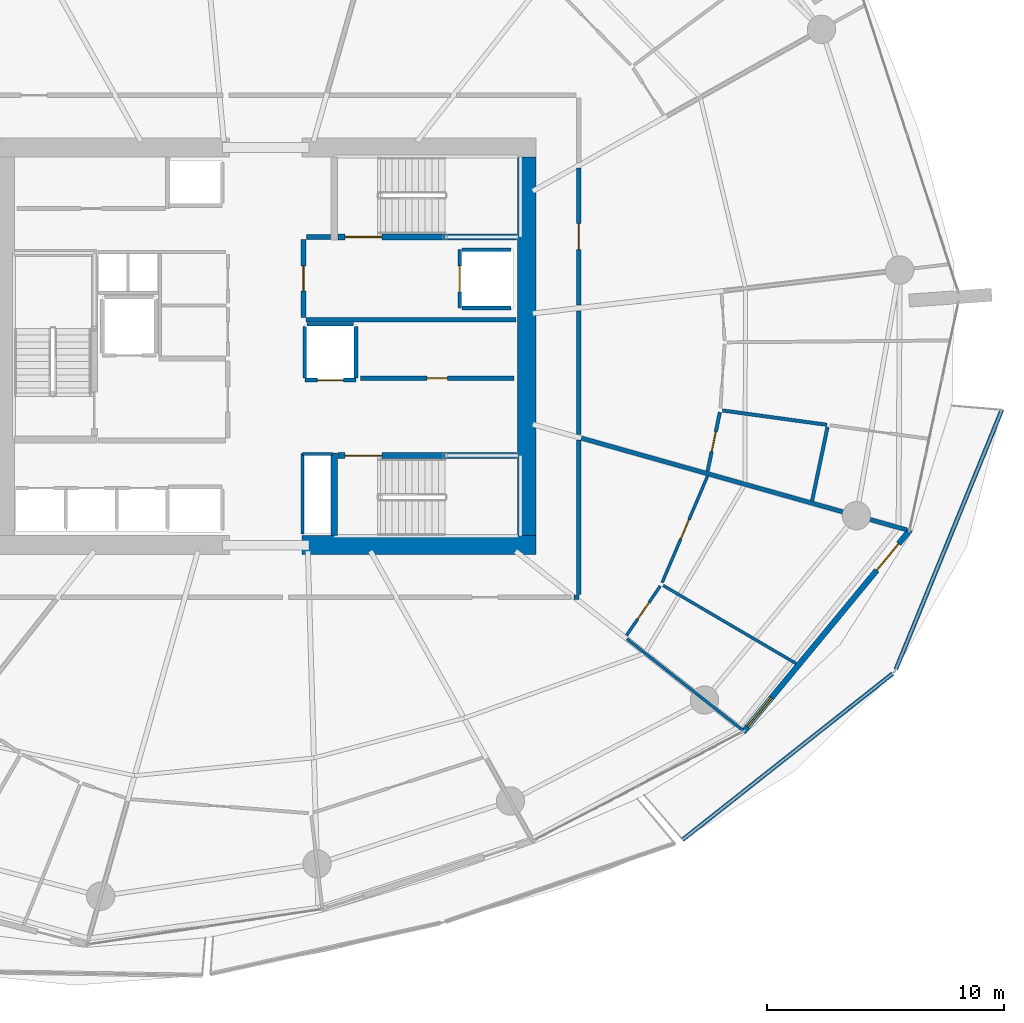
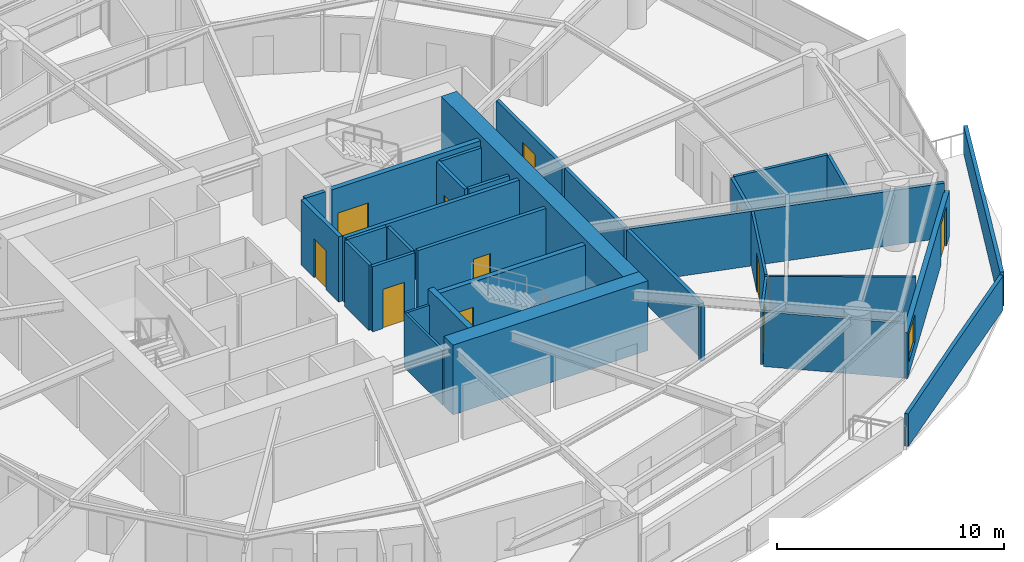
# One storey, part 13 of 22: 33 walls, 11 doors, 1 window, 12 openings.
"""IFC4 building model written with IfcOpenShell, lengths in metres."""

from ifc_helpers import new_model, si_unit, direction, frame, frame_2d, origin, place, context, subcontext, project, spatial, polyline, rectangle, outline, extrude, material, layer, layer_set, type_object, element, fill, save


model = new_model("IFC4")

# Units and contexts
model_context = context("Model", 3, precision=1e-05, world=origin(), true_north=direction((0.0, 1.0)))
body_context = subcontext(model_context, "Body", "Model", "MODEL_VIEW")
ifc_project = project(units=[si_unit("LENGTHUNIT", "METRE"), si_unit("AREAUNIT", "SQUARE_METRE"), si_unit("VOLUMEUNIT", "CUBIC_METRE"), si_unit("PLANEANGLEUNIT", "RADIAN"), si_unit("MASSUNIT", "GRAM", prefix="KILO")], contexts=[model_context])

# Site, building, storey
site_placement = place(None, origin())
site = spatial("IfcSite", under=ifc_project, at=site_placement, CompositionType="ELEMENT")
building_placement = place(site_placement, origin())
building = spatial("IfcBuilding", under=site, at=building_placement, Name="Kazma Halo Residences", CompositionType="ELEMENT")
storey_placement = place(building_placement, frame((0.0, 0.0, 93.89990234375)))
storey = spatial("IfcBuildingStorey", under=building, at=storey_placement, Name="L23", CompositionType="ELEMENT", Elevation=93.89990234375)

# Walls
ifc_material_1 = material(Name="White Concrete C50/60 Balustrade", Category="concrete")
ifc_layer_1 = layer(ifc_material_1, 0.179931640625)
ifc_layer_set_1 = layer_set([ifc_layer_1], Name="White Concrete C50/60 Balustrade")
wall_type_1 = type_object("IfcWallType", Name="WL-BAL-WAVE-180", PredefinedType="PARAPET", material=ifc_layer_set_1)
wall_1_placement = place(storey_placement, frame((66.03076171875, 21.148193359375, 0.0), z_axis=(0.0, 0.0, 1.0), x_axis=(0.784321358075, 0.620354743084, 0.0)))
element("IfcWall", 1, at=wall_1_placement, inside=storey, type_object=wall_type_1, Name="L23 white wave balustrade wall SE.1", PredefinedType="PARAPET", context=body_context, shape_type="SweptSolid", body=[
    extrude(outline(polyline([(0.0, 0.0), (11.316162109375, 0.0), (11.316162109375, 1.83203125), (5.658203125, 1.85302734375), (0.0, 1.756103515625), (0.0, 0.0)])), frame((0.0, 0.08984375, 0.0), z_axis=(0.0, -1.0, 0.0), x_axis=(1.0, 0.0, 0.0)), (0.0, 0.0, 1.0), 0.179931640625),
])
wall_2_placement = place(storey_placement, frame((75.045654296875, 28.353759765625, 0.0), z_axis=(0.0, 0.0, 1.0), x_axis=(0.378274271274, 0.925693564681, 0.0)))
element("IfcWall", 2, at=wall_2_placement, inside=storey, type_object=wall_type_1, Name="L23 white wave balustrade wall SE.2", PredefinedType="PARAPET", context=body_context, shape_type="SweptSolid", body=[
    extrude(outline(polyline([(0.0, 0.0), (11.8515625, 0.0), (11.8515625, 1.4970703125), (5.92578125, 1.696044921875), (0.0, 1.83203125), (0.0, 0.0)])), frame((0.0, 0.08984375, 0.0), z_axis=(0.0, -1.0, 0.0), x_axis=(1.0, 0.0, 0.0)), (0.0, 0.0, 1.0), 0.179931640625),
])
ifc_material_2 = material(Name="Concrete C80/95", Category="concrete")
ifc_layer_2 = layer(ifc_material_2, 0.800048828125)
ifc_layer_set_2 = layer_set([ifc_layer_2], Name="Concrete C80/95")
wall_type_2 = type_object("IfcWallType", Name="WL-CORE-800", PredefinedType="SHEAR", material=ifc_layer_set_2)
wall_3_placement = place(storey_placement, frame((49.949951171875, 33.60009765625, 0.0), z_axis=(0.0, 0.0, 1.0), x_axis=(1.0, 0.0, 0.0)))
element("IfcWall", 3, at=wall_3_placement, inside=storey, type_object=wall_type_2, Name="L23 central core shear wall SE", PredefinedType="SHEAR", context=body_context, shape_type="SweptSolid", body=[
    extrude(rectangle(XDim=9.900146484375, YDim=0.800048828125, at=frame_2d((4.9501953125, 0.0))), origin(), (0.0, 0.0, 1.0), 3.75),
])
wall_4_placement = place(storey_placement, frame((59.449951171875, 34.0, 0.0), z_axis=(0.0, 0.0, 1.0), x_axis=(0.0, 1.0, 0.0)))
element("IfcWall", 4, at=wall_4_placement, inside=storey, type_object=wall_type_2, Name="L23 central core shear wall E", PredefinedType="SHEAR", context=body_context, shape_type="SweptSolid", body=[
    extrude(rectangle(XDim=16.0, YDim=0.800048828125, at=frame_2d((8.0, 0.0))), origin(), (0.0, 0.0, 1.0), 3.75),
])
ifc_material_3 = material(Name="Concrete C60/75", Category="concrete")
ifc_layer_3 = layer(ifc_material_3, 0.280029296875)
ifc_layer_set_3 = layer_set([ifc_layer_3], Name="Concrete C60/75")
wall_type_3 = type_object("IfcWallType", Name="WL-CORE-ST-280", PredefinedType="SHEAR", material=ifc_layer_set_3)
wall_5_placement = place(storey_placement, frame((51.31005859375, 34.0, 0.0), z_axis=(0.0, 0.0, 1.0), x_axis=(0.0, 1.0, 0.0)))
element("IfcWall", 5, at=wall_5_placement, inside=storey, type_object=wall_type_3, Name="L23 stairwell bearing wall ST03-W", PredefinedType="SHEAR", context=body_context, shape_type="SweptSolid", body=[
    extrude(rectangle(XDim=3.5, YDim=0.280029296875, at=frame_2d((1.75, 0.0))), origin(), (0.0, 0.0, 1.0), 3.75),
])
ifc_material_4 = material(Name="Acoustic Twin-Stud Gypsum")
ifc_layer_4 = layer(ifc_material_4, 0.179931640625)
ifc_layer_set_4 = layer_set([ifc_layer_4], Name="Acoustic Twin-Stud Gypsum")
wall_type_4 = type_object("IfcWallType", Name="WL-DEM-180", PredefinedType="PARTITIONING", material=ifc_layer_set_4)
wall_6_placement = place(storey_placement, frame((61.755859375, 38.120361328125, 0.0), z_axis=(0.0, 0.0, 1.0), x_axis=(0.962455861176, -0.271438234756, 0.0)))
element("IfcWall", 6, at=wall_6_placement, inside=storey, type_object=wall_type_4, Name="L23 apartment demising radial wall 14", PredefinedType="PARTITIONING", context=body_context, shape_type="SweptSolid", body=[
    extrude(rectangle(XDim=14.278564453125, YDim=0.179931640625, at=frame_2d((7.13916015625, 0.0))), origin(), (0.0, 0.0, 1.0), 2.940185546875),
])
wall_7_placement = place(storey_placement, frame((61.446044921875, 31.39990234375, 0.0), z_axis=(0.0, 0.0, 1.0), x_axis=(1.0, 0.0, 0.0)))
element("IfcWall", 7, at=wall_7_placement, inside=storey, type_object=wall_type_4, Name="L23 Apartment 2 inner wall 13", PredefinedType="PARTITIONING", context=body_context, shape_type="SweptSolid", body=[
    extrude(rectangle(XDim=0.203857421875, YDim=0.179931640625, at=frame_2d((0.10205078125, 0.0))), origin(), (0.0, 0.0, 1.0), 2.940185546875),
])
wall_8_placement = place(storey_placement, frame((61.64990234375, 31.52001953125, 0.0), z_axis=(0.0, 0.0, 1.0), x_axis=(0.0, 1.0, 0.0)))
element("IfcWall", 8, at=wall_8_placement, inside=storey, type_object=wall_type_4, Name="L23 Apartment 2 inner wall 13", PredefinedType="PARTITIONING", context=body_context, shape_type="SweptSolid", body=[
    extrude(rectangle(XDim=6.51025390625, YDim=0.179931640625, at=frame_2d((3.255126953125, 0.0))), origin(), (0.0, 0.0, 1.0), 2.940185546875),
])

# Wall, opening, door
wall_9_placement = place(storey_placement, frame((61.64990234375, 43.735595703125, 0.0), z_axis=(0.0, 0.0, 1.0), x_axis=(0.0, 1.0, 0.0)))
wall_9 = element("IfcWall", 9, at=wall_9_placement, inside=storey, type_object=wall_type_4, Name="L23 Apartment 3 entrance corridor wall", PredefinedType="PARTITIONING", context=body_context, shape_type="SweptSolid", body=[
    extrude(rectangle(XDim=5.788818359375, YDim=0.179931640625, at=frame_2d((2.89453125, 0.0))), origin(), (0.0, 0.0, 1.0), 2.940185546875),
])
opening_1_placement = place(wall_9_placement, frame((2.344482421875, 0.0, 0.0)))
opening_1 = element("IfcOpeningElement", 10, at=opening_1_placement, cuts=wall_9, Name="Opening DA-1100", PredefinedType="OPENING", context=body_context, shape_type="SweptSolid", body=[
    extrude(rectangle(XDim=1.10009765625, YDim=2.10009765625, at=frame_2d((0.550048828125, 1.050048828125))), frame((0.0, 0.099853515625, 0.0), z_axis=(0.0, -1.0, 0.0), x_axis=(1.0, 0.0, 0.0)), (0.0, 0.0, 1.0), 0.199951171875),
])
ifc_material_5 = material(Name="Acoustic Walnut Fire Leaf")
door_type_1 = type_object("IfcDoorType", Name="DR-FD60-1100", OperationType="NOTDEFINED", PredefinedType="DOOR", material=ifc_material_5)
door_1_placement = place(opening_1_placement, origin())
door_1 = element("IfcDoor", 11, at=door_1_placement, inside=storey, type_object=door_type_1, Name="L23 Apartment 3 entrance fire door", OperationType="SINGLE_SWING_LEFT", OverallHeight=2.10009765625, OverallWidth=1.10009765625, PredefinedType="DOOR", context=body_context, shape_type="SweptSolid", body=[
    extrude(rectangle(XDim=1.10009765625, YDim=2.10009765625, at=frame_2d((0.550048828125, 1.050048828125))), frame((0.0, 0.02490234375, 0.0), z_axis=(0.0, -1.0, 0.0), x_axis=(1.0, 0.0, 0.0)), (0.0, 0.0, 1.0), 0.050048828125),
])
fill(opening_1, door_1)

# Wall
wall_10_placement = place(storey_placement, frame((61.64990234375, 38.270263671875, 0.0), z_axis=(0.0, 0.0, 1.0), x_axis=(0.0, 1.0, 0.0)))
element("IfcWall", 12, at=wall_10_placement, inside=storey, type_object=wall_type_4, Name="L23 Apartment 3 inner wall 14", PredefinedType="PARTITIONING", context=body_context, shape_type="SweptSolid", body=[
    extrude(rectangle(XDim=5.225341796875, YDim=0.179931640625, at=frame_2d((2.61279296875, 0.0))), origin(), (0.0, 0.0, 1.0), 2.940185546875),
])

# Wall, openings, door, window
ifc_material_6 = material(Name="Insulated Pale-Metal Composite Wall")
ifc_layer_5 = layer(ifc_material_6, 0.239990234375)
ifc_layer_set_5 = layer_set([ifc_layer_5], Name="Insulated Pale-Metal Composite Wall")
wall_type_5 = type_object("IfcWallType", Name="WL-EXT-HOST-240", PredefinedType="SOLIDWALL", material=ifc_layer_set_5)
wall_11_placement = place(storey_placement, frame((68.593017578125, 25.7021484375, 0.0), z_axis=(0.0, 0.0, 1.0), x_axis=(0.636704975, 0.771107498868, 0.0)))
wall_11 = element("IfcWall", 13, at=wall_11_placement, inside=storey, type_object=wall_type_5, Name="L23 exterior terrace-access wall B14", PredefinedType="SOLIDWALL", context=body_context, shape_type="SweptSolid", body=[
    extrude(rectangle(XDim=11.084228515625, YDim=0.239990234375, at=frame_2d((5.5419921875, 0.0))), origin(), (0.0, 0.0, 1.0), 2.4501953125),
])
opening_2_placement = place(wall_11_placement, frame((8.8642578125, 0.0, 0.0)))
opening_2 = element("IfcOpeningElement", 14, at=opening_2_placement, cuts=wall_11, Name="Opening DTR-1600", PredefinedType="OPENING", context=body_context, shape_type="SweptSolid", body=[
    extrude(rectangle(XDim=1.449951171875, YDim=2.14990234375, at=frame_2d((0.72509765625, 1.074951171875))), frame((0.0, 0.1298828125, 0.0), z_axis=(0.0, -1.0, 0.0), x_axis=(1.0, 0.0, 0.0)), (0.0, 0.0, 1.0), 0.260009765625),
])
opening_3_placement = place(wall_11_placement, frame((0.280029296875, 0.0, 0.64990234375)))
opening_3 = element("IfcOpeningElement", 15, at=opening_3_placement, cuts=wall_11, Name="Opening W-1800", PredefinedType="OPENING", context=body_context, shape_type="SweptSolid", body=[
    extrude(rectangle(XDim=1.60009765625, YDim=1.5, at=frame_2d((0.800048828125, 0.75))), frame((0.0, 0.1298828125, 0.0), z_axis=(0.0, -1.0, 0.0), x_axis=(1.0, 0.0, 0.0)), (0.0, 0.0, 1.0), 0.260009765625),
])
ifc_material_7 = material(Name="Aluminium AW-6063 T6 Double-Glazed Terrace Door", Category="aluminium")
door_type_2 = type_object("IfcDoorType", Name="DR-EXT-TERR-1600", OperationType="NOTDEFINED", PredefinedType="DOOR", material=ifc_material_7)
door_2_placement = place(opening_2_placement, origin())
door_2 = element("IfcDoor", 16, at=door_2_placement, inside=storey, type_object=door_type_2, Name="L23 B14 balcony terrace door", OperationType="DOUBLE_DOOR_SLIDING", OverallHeight=2.14990234375, OverallWidth=1.449951171875, PredefinedType="DOOR", context=body_context, shape_type="SweptSolid", body=[
    extrude(rectangle(XDim=1.449951171875, YDim=2.14990234375, at=frame_2d((0.72509765625, 1.074951171875))), frame((0.0, 0.02490234375, 0.0), z_axis=(0.0, -1.0, 0.0), x_axis=(1.0, 0.0, 0.0)), (0.0, 0.0, 1.0), 0.050048828125),
])
fill(opening_2, door_2)
ifc_material_8 = material(Name="Clear Triple-Silver Low-E Glass in Aluminium AW-6063 T6 Frame", Category="aluminium")
window_type = type_object("IfcWindowType", Name="WIN-RES-1800", PartitioningType="DOUBLE_PANEL_VERTICAL", PredefinedType="WINDOW", material=ifc_material_8)
window_placement = place(opening_3_placement, origin())
window = element("IfcWindow", 17, at=window_placement, inside=storey, type_object=window_type, Name="L23 B14 apartment window", OverallHeight=1.5, OverallWidth=1.60009765625, PartitioningType="SINGLE_PANEL", PredefinedType="WINDOW", context=body_context, shape_type="SweptSolid", body=[
    extrude(rectangle(XDim=1.60009765625, YDim=1.5, at=frame_2d((0.800048828125, 0.75))), frame((0.0, 0.030029296875, 0.0), z_axis=(0.0, -1.0, 0.0), x_axis=(1.0, 0.0, 0.0)), (0.0, 0.0, 1.0), 0.06005859375),
])
fill(opening_3, window)

# Wall, opening, door
ifc_material_9 = material(Name="Fire-Rated Blockwork Masonry", Category="masonry")
ifc_layer_6 = layer(ifc_material_9, 0.199951171875)
ifc_layer_set_6 = layer_set([ifc_layer_6], Name="Fire-Rated Blockwork Masonry")
wall_type_6 = type_object("IfcWallType", Name="WL-FLB-200", PredefinedType="PARTITIONING", material=ifc_layer_set_6)
wall_12_placement = place(storey_placement, frame((56.6201171875, 46.080078125, 0.0), z_axis=(0.0, 0.0, 1.0), x_axis=(0.0, -1.0, 0.0)))
wall_12 = element("IfcWall", 18, at=wall_12_placement, inside=storey, type_object=wall_type_6, Name="L23 lift shaft FL-02 front wall", PredefinedType="PARTITIONING", context=body_context, shape_type="SweptSolid", body=[
    extrude(rectangle(XDim=2.4599609375, YDim=0.159912109375, at=frame_2d((1.22998046875, 0.0))), origin(), (0.0, 0.0, 1.0), 3.5),
])
opening_4_placement = place(wall_12_placement, frame((0.679931640625, 0.0, 0.0)))
opening_4 = element("IfcOpeningElement", 19, at=opening_4_placement, cuts=wall_12, Name="Opening LD-FL-02", PredefinedType="OPENING", context=body_context, shape_type="SweptSolid", body=[
    extrude(rectangle(XDim=1.10009765625, YDim=2.10009765625, at=frame_2d((0.550048828125, 1.050048828125))), frame((0.0, 0.08984375, 0.0), z_axis=(0.0, -1.0, 0.0), x_axis=(1.0, 0.0, 0.0)), (0.0, 0.0, 1.0), 0.179931640625),
])
ifc_material_10 = material(Name="Stainless Steel Fire-Rated", Category="steel")
door_type_3 = type_object("IfcDoorType", Name="DR-LIFT-SLD-1100", OperationType="DOUBLE_DOOR_SLIDING", PredefinedType="DOOR", material=ifc_material_10)
door_3_placement = place(opening_4_placement, origin())
door_3 = element("IfcDoor", 20, at=door_3_placement, inside=storey, type_object=door_type_3, Name="L23 lift FL-02 sliding landing door", OperationType="DOUBLE_DOOR_SLIDING", OverallHeight=2.10009765625, OverallWidth=1.10009765625, PredefinedType="DOOR", context=body_context, shape_type="SweptSolid", body=[
    extrude(rectangle(XDim=1.10009765625, YDim=2.10009765625, at=frame_2d((0.550048828125, 1.050048828125))), frame((0.0, 0.02490234375, 0.0), z_axis=(0.0, -1.0, 0.0), x_axis=(1.0, 0.0, 0.0)), (0.0, 0.0, 1.0), 0.050048828125),
])
fill(opening_4, door_3)

# Walls
for number, where, z_axis, x_axis, name in (
    (21, (56.719970703125, 46.080078125, 0.0), (0.0, 0.0, 1.0), (1.0, 0.0, 0.0), "L23 lift shaft FL-02 side wall N"),
    (22, (56.719970703125, 43.6201171875, 0.0), (0.0, 0.0, 1.0), (1.0, 0.0, 0.0), "L23 lift shaft FL-02 side wall S"),
):
    element("IfcWall", number, at=place(storey_placement, frame(where, z_axis=z_axis, x_axis=x_axis)), inside=storey, type_object=wall_type_6, Name=name, PredefinedType="PARTITIONING", context=body_context, shape_type="SweptSolid", body=[
        extrude(rectangle(XDim=2.06005859375, YDim=0.159912109375, at=frame_2d((1.030029296875, 0.0))), origin(), (0.0, 0.0, 1.0), 3.5),
    ])

# Wall, opening, door
wall_13_placement = place(storey_placement, frame((52.22998046875, 40.570068359375, 0.0), z_axis=(0.0, 0.0, 1.0), x_axis=(-1.0, 0.0, 0.0)))
wall_13 = element("IfcWall", 23, at=wall_13_placement, inside=storey, type_object=wall_type_6, Name="L23 lift shaft SV-01 front wall", PredefinedType="PARTITIONING", context=body_context, shape_type="SweptSolid", body=[
    extrude(rectangle(XDim=2.159912109375, YDim=0.159912109375, at=frame_2d((1.080078125, 0.0))), origin(), (0.0, 0.0, 1.0), 3.5),
])
opening_5_placement = place(wall_13_placement, frame((0.530029296875, 0.0, 0.0)))
opening_5 = element("IfcOpeningElement", 24, at=opening_5_placement, cuts=wall_13, Name="Opening LD-SV-01", PredefinedType="OPENING", context=body_context, shape_type="SweptSolid", body=[
    extrude(rectangle(XDim=1.10009765625, YDim=2.10009765625, at=frame_2d((0.550048828125, 1.050048828125))), frame((0.0, 0.08984375, 0.0), z_axis=(0.0, -1.0, 0.0), x_axis=(1.0, 0.0, 0.0)), (0.0, 0.0, 1.0), 0.179931640625),
])
door_4_placement = place(opening_5_placement, origin())
door_4 = element("IfcDoor", 25, at=door_4_placement, inside=storey, type_object=door_type_3, Name="L23 lift SV-01 sliding landing door", OperationType="DOUBLE_DOOR_SLIDING", OverallHeight=2.10009765625, OverallWidth=1.10009765625, PredefinedType="DOOR", context=body_context, shape_type="SweptSolid", body=[
    extrude(rectangle(XDim=1.10009765625, YDim=2.10009765625, at=frame_2d((0.550048828125, 1.050048828125))), frame((0.0, 0.02490234375, 0.0), z_axis=(0.0, -1.0, 0.0), x_axis=(1.0, 0.0, 0.0)), (0.0, 0.0, 1.0), 0.050048828125),
])
fill(opening_5, door_4)

# Walls
for number, where, z_axis, x_axis, name in (
    (26, (52.22998046875, 40.669921875, 0.0), (0.0, 0.0, 1.0), (0.0, 1.0, 0.0), "L23 lift shaft SV-01 side wall E"),
    (27, (50.070068359375, 40.669921875, 0.0), (0.0, 0.0, 1.0), (0.0, 1.0, 0.0), "L23 lift shaft SV-01 side wall W"),
):
    element("IfcWall", number, at=place(storey_placement, frame(where, z_axis=z_axis, x_axis=x_axis)), inside=storey, type_object=wall_type_6, Name=name, PredefinedType="PARTITIONING", context=body_context, shape_type="SweptSolid", body=[
        extrude(rectangle(XDim=2.16015625, YDim=0.159912109375, at=frame_2d((1.080078125, 0.0))), origin(), (0.0, 0.0, 1.0), 3.5),
    ])
wall_14_placement = place(storey_placement, frame((50.169921875, 42.929931640625, 0.0), z_axis=(0.0, 0.0, 1.0), x_axis=(1.0, 0.0, 0.0)))
element("IfcWall", 28, at=wall_14_placement, inside=storey, type_object=wall_type_6, Name="L23 lift shaft SV-01 side wall N", PredefinedType="PARTITIONING", context=body_context, shape_type="SweptSolid", body=[
    extrude(rectangle(XDim=1.9599609375, YDim=0.159912109375, at=frame_2d((0.97998046875, 0.0))), origin(), (0.0, 0.0, 1.0), 3.5),
])

# Wall, opening, door
wall_15_placement = place(storey_placement, frame((52.419921875, 40.64990234375, 0.0), z_axis=(0.0, 0.0, 1.0), x_axis=(1.0, 0.0, 0.0)))
wall_15 = element("IfcWall", 29, at=wall_15_placement, inside=storey, type_object=wall_type_6, Name="L23 core east reserve wall", PredefinedType="PARTITIONING", context=body_context, shape_type="SweptSolid", body=[
    extrude(rectangle(XDim=6.5, YDim=0.179931640625, at=frame_2d((3.25, 0.0))), origin(), (0.0, 0.0, 1.0), 3.5),
])
opening_6_placement = place(wall_15_placement, frame((2.824951171875, 0.0, 0.0)))
opening_6 = element("IfcOpeningElement", 30, at=opening_6_placement, cuts=wall_15, Name="Opening DS-850", PredefinedType="OPENING", context=body_context, shape_type="SweptSolid", body=[
    extrude(rectangle(XDim=0.85009765625, YDim=2.06005859375, at=frame_2d((0.425048828125, 1.030029296875))), frame((0.0, 0.099853515625, 0.0), z_axis=(0.0, -1.0, 0.0), x_axis=(1.0, 0.0, 0.0)), (0.0, 0.0, 1.0), 0.199951171875),
])
ifc_material_11 = material(Name="Painted Steel Access Leaf", Category="steel")
door_type_4 = type_object("IfcDoorType", Name="DR-SVC-850", OperationType="NOTDEFINED", PredefinedType="DOOR", material=ifc_material_11)
door_5_placement = place(opening_6_placement, origin())
door_5 = element("IfcDoor", 31, at=door_5_placement, inside=storey, type_object=door_type_4, Name="L23 core east reserve door", OperationType="SINGLE_SWING_RIGHT", OverallHeight=2.06005859375, OverallWidth=0.85009765625, PredefinedType="DOOR", context=body_context, shape_type="SweptSolid", body=[
    extrude(rectangle(XDim=0.85009765625, YDim=2.06005859375, at=frame_2d((0.425048828125, 1.030029296875))), frame((0.0, 0.02490234375, 0.0), z_axis=(0.0, -1.0, 0.0), x_axis=(1.0, 0.0, 0.0)), (0.0, 0.0, 1.0), 0.050048828125),
])
fill(opening_6, door_5)

# Walls
wall_16_placement = place(storey_placement, frame((50.1201171875, 43.1201171875, 0.0), z_axis=(0.0, 0.0, 1.0), x_axis=(1.0, 0.0, 0.0)))
element("IfcWall", 32, at=wall_16_placement, inside=storey, type_object=wall_type_6, Name="L23 east firefighting lobby south smoke wall", PredefinedType="PARTITIONING", context=body_context, shape_type="SweptSolid", body=[
    extrude(rectangle(XDim=8.8798828125, YDim=0.199951171875, at=frame_2d((4.43994140625, 0.0))), origin(), (0.0, 0.0, 1.0), 3.5),
])
wall_17_placement = place(storey_placement, frame((50.139892578125, 46.6201171875, 0.0), z_axis=(0.0, 0.0, 1.0), x_axis=(1.0, 0.0, 0.0)))
element("IfcWall", 33, at=wall_17_placement, inside=storey, type_object=wall_type_6, Name="L23 east firefighting lobby north closure wall", PredefinedType="PARTITIONING", context=body_context, shape_type="SweptSolid", body=[
    extrude(rectangle(XDim=1.02001953125, YDim=0.199951171875, at=frame_2d((0.510009765625, 0.0))), origin(), (0.0, 0.0, 1.0), 3.5),
])

# Wall, opening, door
wall_18_placement = place(storey_placement, frame((50.02001953125, 43.219970703125, 0.0), z_axis=(0.0, 0.0, 1.0), x_axis=(0.0, 1.0, 0.0)))
wall_18 = element("IfcWall", 34, at=wall_18_placement, inside=storey, type_object=wall_type_6, Name="L23 east firefighting lobby smoke wall", PredefinedType="PARTITIONING", context=body_context, shape_type="SweptSolid", body=[
    extrude(rectangle(XDim=3.300048828125, YDim=0.199951171875, at=frame_2d((1.64990234375, 0.0))), origin(), (0.0, 0.0, 1.0), 3.5),
])
opening_7_placement = place(wall_18_placement, frame((1.125, 0.0, 0.0)))
opening_7 = element("IfcOpeningElement", 35, at=opening_7_placement, cuts=wall_18, Name="Opening D-FLE", PredefinedType="OPENING", context=body_context, shape_type="SweptSolid", body=[
    extrude(rectangle(XDim=1.050048828125, YDim=2.10009765625, at=frame_2d((0.52490234375, 1.050048828125))), frame((0.0, 0.10986328125, 0.0), z_axis=(0.0, -1.0, 0.0), x_axis=(1.0, 0.0, 0.0)), (0.0, 0.0, 1.0), 0.219970703125),
])
ifc_material_12 = material(Name="Fire-Rated Steel Leaf", Category="steel")
door_type_5 = type_object("IfcDoorType", Name="DR-FD90-1050", OperationType="NOTDEFINED", PredefinedType="DOOR", material=ifc_material_12)
door_6_placement = place(opening_7_placement, origin())
door_6 = element("IfcDoor", 36, at=door_6_placement, inside=storey, type_object=door_type_5, Name="L23 east firefighting lobby smoke door", OperationType="SINGLE_SWING_LEFT", OverallHeight=2.10009765625, OverallWidth=1.050048828125, PredefinedType="DOOR", context=body_context, shape_type="SweptSolid", body=[
    extrude(rectangle(XDim=1.050048828125, YDim=2.10009765625, at=frame_2d((0.52490234375, 1.050048828125))), frame((0.0, 0.02490234375, 0.0), z_axis=(0.0, -1.0, 0.0), x_axis=(1.0, 0.0, 0.0)), (0.0, 0.0, 1.0), 0.050048828125),
])
fill(opening_7, door_6)

# Walls
ifc_material_13 = material(Name="Gypsum Plasterboard Partition")
ifc_layer_7 = layer(ifc_material_13, 0.125)
ifc_layer_set_7 = layer_set([ifc_layer_7], Name="Gypsum Plasterboard Partition")
wall_type_7 = type_object("IfcWallType", Name="WL-PART-125", PredefinedType="PARTITIONING", material=ifc_layer_set_7)
wall_19_placement = place(storey_placement, frame((49.97998046875, 34.06005859375, 0.0), z_axis=(0.0, 0.0, 1.0), x_axis=(0.0, 1.0, 0.0)))
element("IfcWall", 37, at=wall_19_placement, inside=storey, type_object=wall_type_7, Name="L23 standpipe riser wall", PredefinedType="PARTITIONING", context=body_context, shape_type="SweptSolid", body=[
    extrude(rectangle(XDim=3.39990234375, YDim=0.125, at=frame_2d((1.699951171875, 0.0))), origin(), (0.0, 0.0, 1.0), 2.940185546875),
])
wall_20_placement = place(storey_placement, frame((49.97998046875, 37.43994140625, 0.0), z_axis=(0.0, 0.0, 1.0), x_axis=(1.0, 0.0, 0.0)))
element("IfcWall", 38, at=wall_20_placement, inside=storey, type_object=wall_type_7, Name="L23 standpipe riser north wall", PredefinedType="PARTITIONING", context=body_context, shape_type="SweptSolid", body=[
    extrude(rectangle(XDim=1.260009765625, YDim=0.125, at=frame_2d((0.6298828125, 0.0))), origin(), (0.0, 0.0, 1.0), 2.940185546875),
])
wall_21_placement = place(storey_placement, frame((63.684326171875, 29.635498046875, 0.0), z_axis=(0.0, 0.0, 1.0), x_axis=(0.785296487737, -0.619119880434, 0.0)))
element("IfcWall", 39, at=wall_21_placement, inside=storey, type_object=wall_type_7, Name="L23 Apartment 2 radial partition 13", PredefinedType="PARTITIONING", context=body_context, shape_type="SweptSolid", body=[
    extrude(rectangle(XDim=6.265869140625, YDim=0.125, at=frame_2d((3.1328125, 0.0))), origin(), (0.0, 0.0, 1.0), 2.940185546875),
])
wall_22_placement = place(storey_placement, frame((65.214111328125, 31.892578125, 0.0), z_axis=(0.0, 0.0, 1.0), x_axis=(0.862328516234, -0.506349217527, 0.0)))
element("IfcWall", 40, at=wall_22_placement, inside=storey, type_object=wall_type_7, Name="L23 Apartment 2 mid-bay wall 13", PredefinedType="PARTITIONING", context=body_context, shape_type="SweptSolid", body=[
    extrude(rectangle(XDim=6.505859375, YDim=0.125, at=frame_2d((3.2529296875, 0.0))), origin(), (0.0, 0.0, 1.0), 2.940185546875),
])

# Wall, opening, door
wall_23_placement = place(storey_placement, frame((63.662109375, 29.780029296875, 0.0), z_axis=(0.0, 0.0, 1.0), x_axis=(0.56409306427, 0.825711217583, 0.0)))
wall_23 = element("IfcWall", 41, at=wall_23_placement, inside=storey, type_object=wall_type_7, Name="L23 Apartment 2 North Wine Pantry Store hall wall", PredefinedType="PARTITIONING", context=body_context, shape_type="SweptSolid", body=[
    extrude(rectangle(XDim=2.53369140625, YDim=0.125, at=frame_2d((1.266845703125, 0.0))), origin(), (0.0, 0.0, 1.0), 2.940185546875),
])
opening_8_placement = place(wall_23_placement, frame((0.841796875, 0.0, 0.0)))
opening_8 = element("IfcOpeningElement", 42, at=opening_8_placement, cuts=wall_23, Name="Opening DB-900", PredefinedType="OPENING", context=body_context, shape_type="SweptSolid", body=[
    extrude(rectangle(XDim=0.85009765625, YDim=2.06005859375, at=frame_2d((0.425048828125, 1.030029296875))), frame((0.0, 0.072509765625, 0.0), z_axis=(0.0, -1.0, 0.0), x_axis=(1.0, 0.0, 0.0)), (0.0, 0.0, 1.0), 0.14501953125),
])
ifc_material_14 = material(Name="Moisture-Sealed Timber Leaf", Category="wood")
door_type_6 = type_object("IfcDoorType", Name="DR-BTH-900", OperationType="NOTDEFINED", PredefinedType="DOOR", material=ifc_material_14)
door_7_placement = place(opening_8_placement, origin())
door_7 = element("IfcDoor", 43, at=door_7_placement, inside=storey, type_object=door_type_6, Name="L23 Apartment 2 North Wine Pantry Store door", OperationType="SINGLE_SWING_LEFT", OverallHeight=2.06005859375, OverallWidth=0.85009765625, PredefinedType="DOOR", context=body_context, shape_type="SweptSolid", body=[
    extrude(rectangle(XDim=0.85009765625, YDim=2.06005859375, at=frame_2d((0.425048828125, 1.030029296875))), frame((0.0, 0.02490234375, 0.0), z_axis=(0.0, -1.0, 0.0), x_axis=(1.0, 0.0, 0.0)), (0.0, 0.0, 1.0), 0.050048828125),
])
fill(opening_8, door_7)

wall_24_placement = place(storey_placement, frame((65.167724609375, 32.01171875, 0.0), z_axis=(0.0, 0.0, 1.0), x_axis=(0.392094288326, 0.91992503448, 0.0)))
wall_24 = element("IfcWall", 44, at=wall_24_placement, inside=storey, type_object=wall_type_7, Name="L23 Apartment 2 South Formal Dining Room hall wall", PredefinedType="PARTITIONING", context=body_context, shape_type="SweptSolid", body=[
    extrude(rectangle(XDim=4.89404296875, YDim=0.125, at=frame_2d((2.447021484375, 0.0))), origin(), (0.0, 0.0, 1.0), 2.940185546875),
])
opening_9_placement = place(wall_24_placement, frame((1.9970703125, 0.0, 0.0)))
opening_9 = element("IfcOpeningElement", 45, at=opening_9_placement, cuts=wall_24, Name="Opening DI-950", PredefinedType="OPENING", context=body_context, shape_type="SweptSolid", body=[
    extrude(rectangle(XDim=0.89990234375, YDim=2.080078125, at=frame_2d((0.449951171875, 1.0400390625))), frame((0.0, 0.072509765625, 0.0), z_axis=(0.0, -1.0, 0.0), x_axis=(1.0, 0.0, 0.0)), (0.0, 0.0, 1.0), 0.14501953125),
])
ifc_material_15 = material(Name="Timber Veneer Flush Leaf", Category="wood")
door_type_7 = type_object("IfcDoorType", Name="DR-INT-950", OperationType="NOTDEFINED", PredefinedType="DOOR", material=ifc_material_15)
door_8_placement = place(opening_9_placement, origin())
door_8 = element("IfcDoor", 46, at=door_8_placement, inside=storey, type_object=door_type_7, Name="L23 Apartment 2 South Formal Dining Room door", OperationType="SINGLE_SWING_RIGHT", OverallHeight=2.080078125, OverallWidth=0.89990234375, PredefinedType="DOOR", context=body_context, shape_type="SweptSolid", body=[
    extrude(rectangle(XDim=0.89990234375, YDim=2.080078125, at=frame_2d((0.449951171875, 1.0400390625))), frame((0.0, 0.02490234375, 0.0), z_axis=(0.0, -1.0, 0.0), x_axis=(1.0, 0.0, 0.0)), (0.0, 0.0, 1.0), 0.050048828125),
])
fill(opening_9, door_8)

ifc_material_16 = material(Name="Concrete C50/60", Category="concrete")
ifc_layer_8 = layer(ifc_material_16, 0.25)
ifc_layer_set_8 = layer_set([ifc_layer_8], Name="Concrete C50/60")
wall_type_8 = type_object("IfcWallType", Name="WL-SHF-250", PredefinedType="SOLIDWALL", material=ifc_layer_set_8)
wall_25_placement = place(storey_placement, frame((51.47998046875, 46.6201171875, 0.0), z_axis=(0.0, 0.0, 1.0), x_axis=(1.0, 0.0, 0.0)))
wall_25 = element("IfcWall", 47, at=wall_25_placement, inside=storey, type_object=wall_type_8, Name="L23 exit stair ST-02 enclosure wall", PredefinedType="SOLIDWALL", context=body_context, shape_type="SweptSolid", body=[
    extrude(rectangle(XDim=7.5400390625, YDim=0.25, at=frame_2d((3.77001953125, 0.0))), origin(), (0.0, 0.0, 1.0), 3.5),
])
opening_10_placement = place(wall_25_placement, frame((0.300048828125, 0.0, 0.0)))
opening_10 = element("IfcOpeningElement", 48, at=opening_10_placement, cuts=wall_25, Name="Opening D-ST2", PredefinedType="OPENING", context=body_context, shape_type="SweptSolid", body=[
    extrude(rectangle(XDim=1.550048828125, YDim=2.14990234375, at=frame_2d((0.77490234375, 1.074951171875))), frame((0.0, 0.135009765625, 0.0), z_axis=(0.0, -1.0, 0.0), x_axis=(1.0, 0.0, 0.0)), (0.0, 0.0, 1.0), 0.27001953125),
])
ifc_material_17 = material(Name="Fire-Rated Double Steel Leaf", Category="steel")
door_type_8 = type_object("IfcDoorType", Name="DR-FD90-1550", OperationType="NOTDEFINED", PredefinedType="DOOR", material=ifc_material_17)
door_9_placement = place(opening_10_placement, origin())
door_9 = element("IfcDoor", 49, at=door_9_placement, inside=storey, type_object=door_type_8, Name="L23 exit stair ST-02 fire door", OperationType="DOUBLE_DOOR_SINGLE_SWING", OverallHeight=2.14990234375, OverallWidth=1.550048828125, PredefinedType="DOOR", context=body_context, shape_type="SweptSolid", body=[
    extrude(rectangle(XDim=1.550048828125, YDim=2.14990234375, at=frame_2d((0.77490234375, 1.074951171875))), frame((0.0, 0.02490234375, 0.0), z_axis=(0.0, -1.0, 0.0), x_axis=(1.0, 0.0, 0.0)), (0.0, 0.0, 1.0), 0.050048828125),
])
fill(opening_10, door_9)

wall_26_placement = place(storey_placement, frame((51.47998046875, 37.3798828125, 0.0), z_axis=(0.0, 0.0, 1.0), x_axis=(1.0, 0.0, 0.0)))
wall_26 = element("IfcWall", 50, at=wall_26_placement, inside=storey, type_object=wall_type_8, Name="L23 exit stair ST-03 enclosure wall", PredefinedType="SOLIDWALL", context=body_context, shape_type="SweptSolid", body=[
    extrude(rectangle(XDim=7.5400390625, YDim=0.25, at=frame_2d((3.77001953125, 0.0))), origin(), (0.0, 0.0, 1.0), 3.5),
])
opening_11_placement = place(wall_26_placement, frame((0.300048828125, 0.0, 0.0)))
opening_11 = element("IfcOpeningElement", 51, at=opening_11_placement, cuts=wall_26, Name="Opening D-ST3", PredefinedType="OPENING", context=body_context, shape_type="SweptSolid", body=[
    extrude(rectangle(XDim=1.550048828125, YDim=2.14990234375, at=frame_2d((0.77490234375, 1.074951171875))), frame((0.0, 0.135009765625, 0.0), z_axis=(0.0, -1.0, 0.0), x_axis=(1.0, 0.0, 0.0)), (0.0, 0.0, 1.0), 0.27001953125),
])
door_10_placement = place(opening_11_placement, origin())
door_10 = element("IfcDoor", 52, at=door_10_placement, inside=storey, type_object=door_type_8, Name="L23 exit stair ST-03 fire door", OperationType="DOUBLE_DOOR_SINGLE_SWING", OverallHeight=2.14990234375, OverallWidth=1.550048828125, PredefinedType="DOOR", context=body_context, shape_type="SweptSolid", body=[
    extrude(rectangle(XDim=1.550048828125, YDim=2.14990234375, at=frame_2d((0.77490234375, 1.074951171875))), frame((0.0, 0.02490234375, 0.0), z_axis=(0.0, -1.0, 0.0), x_axis=(1.0, 0.0, 0.0)), (0.0, 0.0, 1.0), 0.050048828125),
])
fill(opening_11, door_10)

ifc_material_18 = material(Name="Moisture-Resistant Gypsum")
ifc_layer_9 = layer(ifc_material_18, 0.14990234375)
ifc_layer_set_9 = layer_set([ifc_layer_9], Name="Moisture-Resistant Gypsum")
wall_type_9 = type_object("IfcWallType", Name="WL-WET-150", PredefinedType="PARTITIONING", material=ifc_layer_set_9)
wall_27_placement = place(storey_placement, frame((67.088623046875, 36.72021484375, 0.0), z_axis=(0.0, 0.0, 1.0), x_axis=(0.204314138463, 0.978905374806, 0.0)))
wall_27 = element("IfcWall", 53, at=wall_27_placement, inside=storey, type_object=wall_type_9, Name="L23 Apartment 3 Guest Bathroom hall wall", PredefinedType="PARTITIONING", context=body_context, shape_type="SweptSolid", body=[
    extrude(rectangle(XDim=2.54638671875, YDim=0.14990234375, at=frame_2d((1.273193359375, 0.0))), origin(), (0.0, 0.0, 1.0), 2.940185546875),
])
opening_12_placement = place(wall_27_placement, frame((0.84814453125, 0.0, 0.0)))
opening_12 = element("IfcOpeningElement", 54, at=opening_12_placement, cuts=wall_27, Name="Opening DB-900", PredefinedType="OPENING", context=body_context, shape_type="SweptSolid", body=[
    extrude(rectangle(XDim=0.85009765625, YDim=2.06005859375, at=frame_2d((0.425048828125, 1.030029296875))), frame((0.0, 0.0849609375, 0.0), z_axis=(0.0, -1.0, 0.0), x_axis=(1.0, 0.0, 0.0)), (0.0, 0.0, 1.0), 0.169921875),
])
door_11_placement = place(opening_12_placement, origin())
door_11 = element("IfcDoor", 55, at=door_11_placement, inside=storey, type_object=door_type_6, Name="L23 Apartment 3 Guest Bathroom door", OperationType="SINGLE_SWING_RIGHT", OverallHeight=2.06005859375, OverallWidth=0.85009765625, PredefinedType="DOOR", context=body_context, shape_type="SweptSolid", body=[
    extrude(rectangle(XDim=0.85009765625, YDim=2.06005859375, at=frame_2d((0.425048828125, 1.030029296875))), frame((0.0, 0.02490234375, 0.0), z_axis=(0.0, -1.0, 0.0), x_axis=(1.0, 0.0, 0.0)), (0.0, 0.0, 1.0), 0.050048828125),
])
fill(opening_12, door_11)

# Walls
wall_28_placement = place(storey_placement, frame((71.506103515625, 35.47412109375, 0.0), z_axis=(0.0, 0.0, 1.0), x_axis=(0.204346617078, 0.978898595407, 0.0)))
element("IfcWall", 56, at=wall_28_placement, inside=storey, type_object=wall_type_9, Name="L23 Apartment 3 Guest Bathroom back wall", PredefinedType="PARTITIONING", context=body_context, shape_type="SweptSolid", body=[
    extrude(rectangle(XDim=3.180419921875, YDim=0.14990234375, at=frame_2d((1.59033203125, 0.0))), origin(), (0.0, 0.0, 1.0), 2.940185546875),
])
wall_29_placement = place(storey_placement, frame((67.716552734375, 39.28857421875, 0.0), z_axis=(0.0, 0.0, 1.0), x_axis=(0.99067496126, -0.136246545396, 0.0)))
element("IfcWall", 57, at=wall_29_placement, inside=storey, type_object=wall_type_9, Name="L23 Apartment 3 Guest Bathroom side wall", PredefinedType="PARTITIONING", context=body_context, shape_type="SweptSolid", body=[
    extrude(rectangle(XDim=4.4599609375, YDim=0.14990234375, at=frame_2d((2.22998046875, 0.0))), origin(), (0.0, 0.0, 1.0), 2.940185546875),
])

save(model, "model.ifc")
